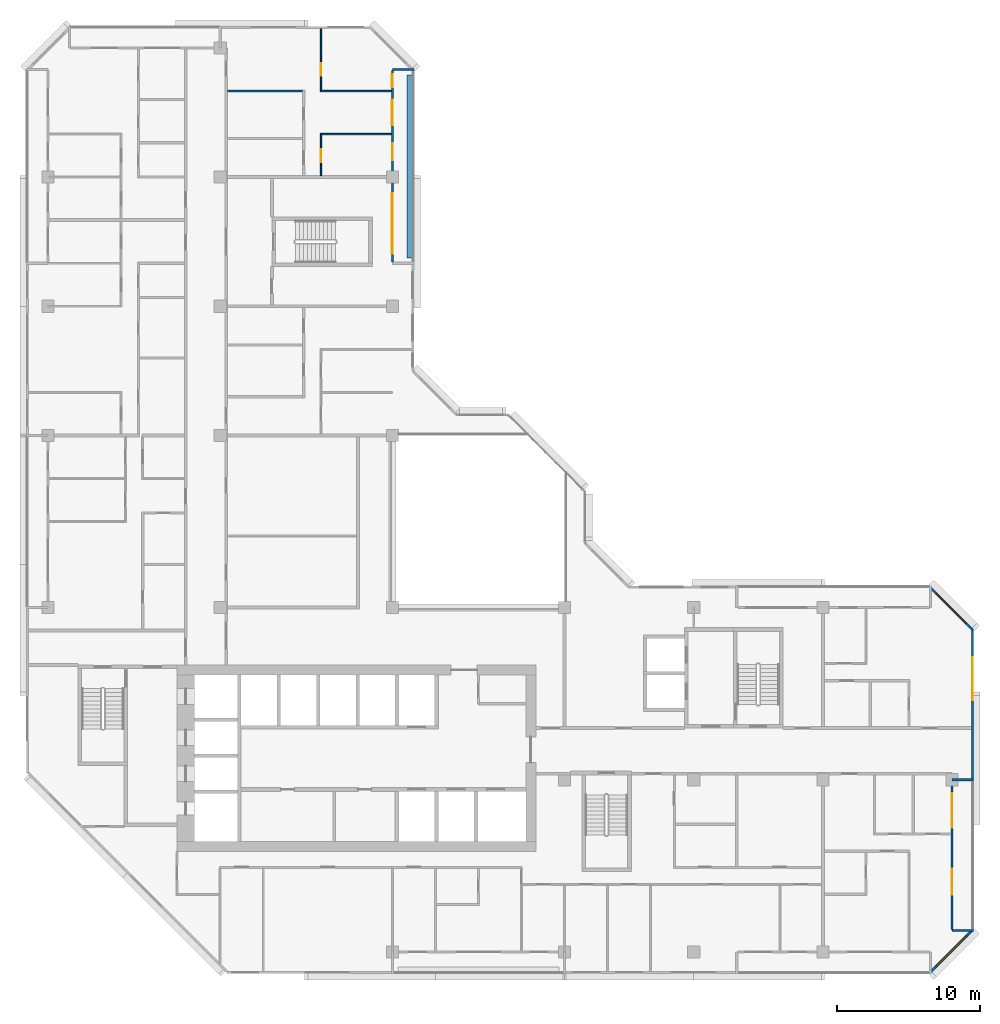
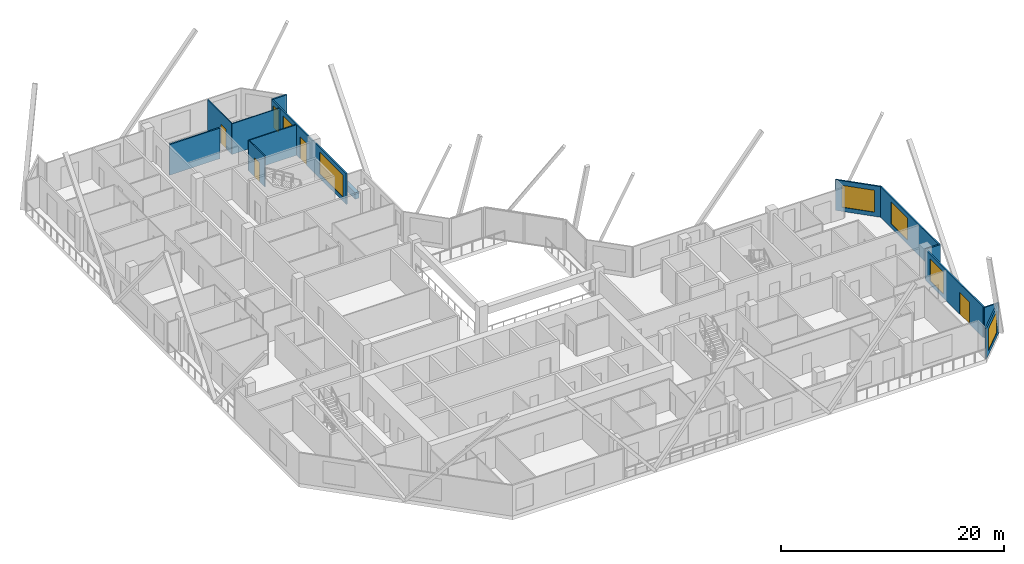
# One storey, part 11 of 14: 14 walls, 7 windows, 4 doors, 11 openings.
"""IFC4 building model written with IfcOpenShell, lengths in metres."""

from ifc_helpers import new_model, si_unit, direction, frame, frame_2d, origin, place, context, subcontext, project, spatial, rectangle, extrude, material, layer, layer_set, type_object, element, fill, save


model = new_model("IFC4")

# Units and contexts
model_context = context("Model", 3, precision=1e-05, world=origin(), true_north=direction((0.0, 1.0)))
body_context = subcontext(model_context, "Body", "Model", "MODEL_VIEW")
ifc_project = project(units=[si_unit("LENGTHUNIT", "METRE"), si_unit("AREAUNIT", "SQUARE_METRE"), si_unit("VOLUMEUNIT", "CUBIC_METRE"), si_unit("PLANEANGLEUNIT", "RADIAN"), si_unit("MASSUNIT", "GRAM", prefix="KILO")], contexts=[model_context])

# Site, building, storey
site_placement = place(None, origin())
site = spatial("IfcSite", under=ifc_project, at=site_placement, CompositionType="ELEMENT")
building_placement = place(site_placement, origin())
building = spatial("IfcBuilding", under=site, at=building_placement, Name="Chenar Terraces", CompositionType="ELEMENT")
storey_placement = place(building_placement, frame((0.0, 0.0, 234.14990234375)))
storey = spatial("IfcBuildingStorey", under=building, at=storey_placement, Name="L55", CompositionType="ELEMENT", Elevation=234.14990234375)

# Wall, opening, window
ifc_material_1 = material(Name="Aluminium framed glazing", Category="aluminium")
ifc_layer_1 = layer(ifc_material_1, 0.14990234375)
ifc_layer_set_1 = layer_set([ifc_layer_1], Name="Aluminium framed glazing")
wall_type_1 = type_object("IfcWallType", Name="Glazed flush facade wall 150", PredefinedType="SOLIDWALL", material=ifc_layer_set_1)
wall_1_placement = place(storey_placement, frame((64.425048828125, 12.074951171875, 0.0), z_axis=(0.0, 0.0, 1.0), x_axis=(0.0, 1.0, 0.0)))
wall_1 = element("IfcWall", 1, at=wall_1_placement, inside=storey, type_object=wall_type_1, Name="Glazed flush facade wall", PredefinedType="SOLIDWALL", context=body_context, shape_type="SweptSolid", body=[
    extrude(rectangle(XDim=10.425048828125, YDim=0.14990234375, at=frame_2d((5.21240234375, 0.0))), origin(), (0.0, 0.0, 1.0), 3.35009765625),
])
opening_1_placement = place(wall_1_placement, frame((5.47509765625, 0.0, 0.449951171875)))
opening_1 = element("IfcOpeningElement", 2, at=opening_1_placement, cuts=wall_1, Name="Opening W300x240", PredefinedType="OPENING", context=body_context, shape_type="SweptSolid", body=[
    extrude(rectangle(XDim=3.0, YDim=2.39990234375, at=frame_2d((1.5, 1.199951171875))), frame((0.0, 0.0849609375, 0.0), z_axis=(0.0, -1.0, 0.0), x_axis=(1.0, 0.0, 0.0)), (0.0, 0.0, 1.0), 0.169921875),
])
ifc_material_2 = material(Name="Low emissivity double glazing, aluminium frame", Category="aluminium")
window_type_1 = type_object("IfcWindowType", Name="Fixed light 3000 x 2400", PartitioningType="SINGLE_PANEL", PredefinedType="WINDOW", material=ifc_material_2)
window_1_placement = place(opening_1_placement, origin())
window_1 = element("IfcWindow", 3, at=window_1_placement, inside=storey, type_object=window_type_1, Name="Window", OverallHeight=2.39990234375, OverallWidth=3.0, PartitioningType="SINGLE_PANEL", PredefinedType="WINDOW", context=body_context, shape_type="SweptSolid", body=[
    extrude(rectangle(XDim=3.0, YDim=2.39990234375, at=frame_2d((1.5, 1.199951171875))), frame((0.0, 0.030029296875, 0.0), z_axis=(0.0, -1.0, 0.0), x_axis=(1.0, 0.0, 0.0)), (0.0, 0.0, 1.0), 0.06005859375),
])
fill(opening_1, window_1)

# Wall, openings, windows, door
ifc_material_3 = material(Name="Aluminium framed glazing", Category="aluminium")
ifc_layer_2 = layer(ifc_material_3, 0.14990234375)
ifc_layer_set_2 = layer_set([ifc_layer_2], Name="Aluminium framed glazing")
wall_type_2 = type_object("IfcWallType", Name="Glazed loggia back wall 150", PredefinedType="SOLIDWALL", material=ifc_layer_set_2)
wall_2_placement = place(storey_placement, frame((24.0, 48.074951171875, 0.0), z_axis=(0.0, 0.0, 1.0), x_axis=(0.0, 1.0, 0.0)))
wall_2 = element("IfcWall", 4, at=wall_2_placement, inside=storey, type_object=wall_type_2, Name="Glazed loggia back wall", PredefinedType="SOLIDWALL", context=body_context, shape_type="SweptSolid", body=[
    extrude(rectangle(XDim=13.35009765625, YDim=0.14990234375, at=frame_2d((6.675048828125, 0.0))), origin(), (0.0, 0.0, 1.0), 3.35009765625),
])
opening_2_placement = place(wall_2_placement, frame((0.60009765625, 0.0, 0.449951171875)))
opening_2 = element("IfcOpeningElement", 5, at=opening_2_placement, cuts=wall_2, Name="Opening W420x240", PredefinedType="OPENING", context=body_context, shape_type="SweptSolid", body=[
    extrude(rectangle(XDim=4.199951171875, YDim=2.39990234375, at=frame_2d((2.10009765625, 1.199951171875))), frame((0.0, 0.0849609375, 0.0), z_axis=(0.0, -1.0, 0.0), x_axis=(1.0, 0.0, 0.0)), (0.0, 0.0, 1.0), 0.169921875),
])
opening_3_placement = place(wall_2_placement, frame((7.08740234375, 0.0, 0.0)))
opening_3 = element("IfcOpeningElement", 6, at=opening_3_placement, cuts=wall_2, Name="Opening DL55-G2", PredefinedType="OPENING", context=body_context, shape_type="SweptSolid", body=[
    extrude(rectangle(XDim=1.199951171875, YDim=2.39990234375, at=frame_2d((0.60009765625, 1.199951171875))), frame((0.0, 0.0849609375, 0.0), z_axis=(0.0, -1.0, 0.0), x_axis=(1.0, 0.0, 0.0)), (0.0, 0.0, 1.0), 0.169921875),
])
opening_4_placement = place(wall_2_placement, frame((9.52490234375, 0.0, 0.449951171875)))
opening_4 = element("IfcOpeningElement", 7, at=opening_4_placement, cuts=wall_2, Name="Opening W180x240", PredefinedType="OPENING", context=body_context, shape_type="SweptSolid", body=[
    extrude(rectangle(XDim=1.800048828125, YDim=2.39990234375, at=frame_2d((0.89990234375, 1.199951171875))), frame((0.0, 0.0849609375, 0.0), z_axis=(0.0, -1.0, 0.0), x_axis=(1.0, 0.0, 0.0)), (0.0, 0.0, 1.0), 0.169921875),
])
opening_5_placement = place(wall_2_placement, frame((12.1875, 0.0, 0.449951171875)))
opening_5 = element("IfcOpeningElement", 8, at=opening_5_placement, cuts=wall_2, Name="Opening W90x240", PredefinedType="OPENING", context=body_context, shape_type="SweptSolid", body=[
    extrude(rectangle(XDim=0.89990234375, YDim=2.39990234375, at=frame_2d((0.449951171875, 1.199951171875))), frame((0.0, 0.0849609375, 0.0), z_axis=(0.0, -1.0, 0.0), x_axis=(1.0, 0.0, 0.0)), (0.0, 0.0, 1.0), 0.169921875),
])
ifc_material_4 = material(Name="Low emissivity double glazing, aluminium frame", Category="aluminium")
window_type_2 = type_object("IfcWindowType", Name="Fixed light 1800 x 2400", PartitioningType="SINGLE_PANEL", PredefinedType="WINDOW", material=ifc_material_4)
window_2_placement = place(opening_4_placement, origin())
window_2 = element("IfcWindow", 9, at=window_2_placement, inside=storey, type_object=window_type_2, Name="Window", OverallHeight=2.39990234375, OverallWidth=1.800048828125, PartitioningType="SINGLE_PANEL", PredefinedType="WINDOW", context=body_context, shape_type="SweptSolid", body=[
    extrude(rectangle(XDim=1.800048828125, YDim=2.39990234375, at=frame_2d((0.89990234375, 1.199951171875))), frame((0.0, 0.030029296875, 0.0), z_axis=(0.0, -1.0, 0.0), x_axis=(1.0, 0.0, 0.0)), (0.0, 0.0, 1.0), 0.06005859375),
])
fill(opening_4, window_2)
ifc_material_5 = material(Name="Low emissivity double glazing, aluminium frame", Category="aluminium")
window_type_3 = type_object("IfcWindowType", Name="Fixed light 4200 x 2400", PartitioningType="SINGLE_PANEL", PredefinedType="WINDOW", material=ifc_material_5)
window_3_placement = place(opening_2_placement, origin())
window_3 = element("IfcWindow", 10, at=window_3_placement, inside=storey, type_object=window_type_3, Name="Window", OverallHeight=2.39990234375, OverallWidth=4.199951171875, PartitioningType="SINGLE_PANEL", PredefinedType="WINDOW", context=body_context, shape_type="SweptSolid", body=[
    extrude(rectangle(XDim=4.199951171875, YDim=2.39990234375, at=frame_2d((2.10009765625, 1.199951171875))), frame((0.0, 0.030029296875, 0.0), z_axis=(0.0, -1.0, 0.0), x_axis=(1.0, 0.0, 0.0)), (0.0, 0.0, 1.0), 0.06005859375),
])
fill(opening_2, window_3)
ifc_material_6 = material(Name="Low emissivity double glazing, aluminium frame", Category="aluminium")
window_type_4 = type_object("IfcWindowType", Name="Fixed light 900 x 2400", PartitioningType="SINGLE_PANEL", PredefinedType="WINDOW", material=ifc_material_6)
window_4_placement = place(opening_5_placement, origin())
window_4 = element("IfcWindow", 11, at=window_4_placement, inside=storey, type_object=window_type_4, Name="Window", OverallHeight=2.39990234375, OverallWidth=0.89990234375, PartitioningType="SINGLE_PANEL", PredefinedType="WINDOW", context=body_context, shape_type="SweptSolid", body=[
    extrude(rectangle(XDim=0.89990234375, YDim=2.39990234375, at=frame_2d((0.449951171875, 1.199951171875))), frame((0.0, 0.030029296875, 0.0), z_axis=(0.0, -1.0, 0.0), x_axis=(1.0, 0.0, 0.0)), (0.0, 0.0, 1.0), 0.06005859375),
])
fill(opening_5, window_4)
ifc_material_7 = material(Name="Low emissivity double glazing, aluminium frame", Category="aluminium")
door_type_1 = type_object("IfcDoorType", Name="Loggia glazed double door 1200 x 2400", OperationType="DOUBLE_DOOR_SINGLE_SWING", PredefinedType="DOOR", material=ifc_material_7)
door_1_placement = place(opening_3_placement, frame((1.199951171875, 0.0, 0.0), z_axis=(0.0, 0.0, 1.0), x_axis=(-1.0, 0.0, 0.0)))
door_1 = element("IfcDoor", 12, at=door_1_placement, inside=storey, type_object=door_type_1, Name="Loggia glazed door", OperationType="DOUBLE_DOOR_SINGLE_SWING", OverallHeight=2.39990234375, OverallWidth=1.199951171875, PredefinedType="DOOR", context=body_context, shape_type="SweptSolid", body=[
    extrude(rectangle(XDim=1.199951171875, YDim=2.39990234375, at=frame_2d((0.60009765625, 1.199951171875))), frame((0.0, 0.02490234375, 0.0), z_axis=(0.0, -1.0, 0.0), x_axis=(1.0, 0.0, 0.0)), (0.0, 0.0, 1.0), 0.050048828125),
])
fill(opening_3, door_1)

# Wall, openings, window, door
wall_3_placement = place(storey_placement, frame((63.0, 1.574951171875, 0.0), z_axis=(0.0, 0.0, 1.0), x_axis=(0.0, 1.0, 0.0)))
wall_3 = element("IfcWall", 13, at=wall_3_placement, inside=storey, type_object=wall_type_2, Name="Glazed loggia back wall", PredefinedType="SOLIDWALL", context=body_context, shape_type="SweptSolid", body=[
    extrude(rectangle(XDim=10.35009765625, YDim=0.14990234375, at=frame_2d((5.175048828125, 0.0))), origin(), (0.0, 0.0, 1.0), 3.35009765625),
])
opening_6_placement = place(wall_3_placement, frame((2.425048828125, 0.0, 0.0)))
opening_6 = element("IfcOpeningElement", 14, at=opening_6_placement, cuts=wall_3, Name="Opening DL55-G8", PredefinedType="OPENING", context=body_context, shape_type="SweptSolid", body=[
    extrude(rectangle(XDim=1.800048828125, YDim=2.39990234375, at=frame_2d((0.89990234375, 1.199951171875))), frame((0.0, 0.0849609375, 0.0), z_axis=(0.0, -1.0, 0.0), x_axis=(1.0, 0.0, 0.0)), (0.0, 0.0, 1.0), 0.169921875),
])
opening_7_placement = place(wall_3_placement, frame((7.074951171875, 0.0, 0.449951171875)))
opening_7 = element("IfcOpeningElement", 15, at=opening_7_placement, cuts=wall_3, Name="Opening W240x240", PredefinedType="OPENING", context=body_context, shape_type="SweptSolid", body=[
    extrude(rectangle(XDim=2.39990234375, YDim=2.39990234375, at=frame_2d((1.199951171875, 1.199951171875))), frame((0.0, 0.0849609375, 0.0), z_axis=(0.0, -1.0, 0.0), x_axis=(1.0, 0.0, 0.0)), (0.0, 0.0, 1.0), 0.169921875),
])
ifc_material_8 = material(Name="Low emissivity double glazing, aluminium frame", Category="aluminium")
window_type_5 = type_object("IfcWindowType", Name="Fixed light 2400 x 2400", PartitioningType="SINGLE_PANEL", PredefinedType="WINDOW", material=ifc_material_8)
window_5_placement = place(opening_7_placement, origin())
window_5 = element("IfcWindow", 16, at=window_5_placement, inside=storey, type_object=window_type_5, Name="Window", OverallHeight=2.39990234375, OverallWidth=2.39990234375, PartitioningType="SINGLE_PANEL", PredefinedType="WINDOW", context=body_context, shape_type="SweptSolid", body=[
    extrude(rectangle(XDim=2.39990234375, YDim=2.39990234375, at=frame_2d((1.199951171875, 1.199951171875))), frame((0.0, 0.030029296875, 0.0), z_axis=(0.0, -1.0, 0.0), x_axis=(1.0, 0.0, 0.0)), (0.0, 0.0, 1.0), 0.06005859375),
])
fill(opening_7, window_5)
ifc_material_9 = material(Name="Low emissivity double glazing, aluminium frame", Category="aluminium")
door_type_2 = type_object("IfcDoorType", Name="Loggia glazed double door 1800 x 2400", OperationType="DOUBLE_DOOR_SINGLE_SWING", PredefinedType="DOOR", material=ifc_material_9)
door_2_placement = place(opening_6_placement, frame((1.800048828125, 0.0, 0.0), z_axis=(0.0, 0.0, 1.0), x_axis=(-1.0, 0.0, 0.0)))
door_2 = element("IfcDoor", 17, at=door_2_placement, inside=storey, type_object=door_type_2, Name="Loggia glazed door", OperationType="DOUBLE_DOOR_SINGLE_SWING", OverallHeight=2.39990234375, OverallWidth=1.800048828125, PredefinedType="DOOR", context=body_context, shape_type="SweptSolid", body=[
    extrude(rectangle(XDim=1.800048828125, YDim=2.39990234375, at=frame_2d((0.89990234375, 1.199951171875))), frame((0.0, 0.02490234375, 0.0), z_axis=(0.0, -1.0, 0.0), x_axis=(1.0, 0.0, 0.0)), (0.0, 0.0, 1.0), 0.050048828125),
])
fill(opening_6, door_2)

# Walls
ifc_material_10 = material(Name="Gypsum board on steel studs", Category="steel")
ifc_layer_3 = layer(ifc_material_10, 0.10009765625)
ifc_layer_set_3 = layer_set([ifc_layer_3], Name="Gypsum board on steel studs")
wall_type_3 = type_object("IfcWallType", Name="Gypsum partition 100", PredefinedType="PARTITIONING", material=ifc_layer_set_3)
for number, where, z_axis, x_axis, name in (
    (18, (18.97509765625, 57.0, 0.0), (0.0, 0.0, 1.0), (1.0, 0.0, 0.0), "Partition L55-051"),
    (19, (18.97509765625, 60.0, 0.0), (0.0, 0.0, 1.0), (1.0, 0.0, 0.0), "Partition L55-052"),
):
    element("IfcWall", number, at=place(storey_placement, frame(where, z_axis=z_axis, x_axis=x_axis)), inside=storey, type_object=wall_type_3, Name=name, PredefinedType="PARTITIONING", context=body_context, shape_type="SweptSolid", body=[
        extrude(rectangle(XDim=4.950927734375, YDim=0.10009765625, at=frame_2d((2.4755859375, 0.0))), origin(), (0.0, 0.0, 1.0), 3.35009765625),
    ])

# Wall, opening, door
wall_4_placement = place(storey_placement, frame((19.02490234375, 54.10009765625, 0.0), z_axis=(0.0, 0.0, 1.0), x_axis=(0.0, 1.0, 0.0)))
wall_4 = element("IfcWall", 20, at=wall_4_placement, inside=storey, type_object=wall_type_3, Name="Partition L55-054", PredefinedType="PARTITIONING", context=body_context, shape_type="SweptSolid", body=[
    extrude(rectangle(XDim=2.849853515625, YDim=0.10009765625, at=frame_2d((1.4248046875, 0.0))), origin(), (0.0, 0.0, 1.0), 3.35009765625),
])
opening_8_placement = place(wall_4_placement, frame((0.949951171875, 0.0, 0.0)))
opening_8 = element("IfcOpeningElement", 21, at=opening_8_placement, cuts=wall_4, Name="Opening DL55-19", PredefinedType="OPENING", context=body_context, shape_type="SweptSolid", body=[
    extrude(rectangle(XDim=0.89990234375, YDim=2.10009765625, at=frame_2d((0.449951171875, 1.050048828125))), frame((0.0, 0.06005859375, 0.0), z_axis=(0.0, -1.0, 0.0), x_axis=(1.0, 0.0, 0.0)), (0.0, 0.0, 1.0), 0.1201171875),
])
ifc_material_11 = material(Name="Veneered timber door leaf", Category="wood")
door_type_3 = type_object("IfcDoorType", Name="Door 900 x 2100", OperationType="SINGLE_SWING_LEFT", PredefinedType="DOOR", material=ifc_material_11)
door_3_placement = place(opening_8_placement, frame((0.89990234375, 0.0, 0.0), z_axis=(0.0, 0.0, 1.0), x_axis=(-1.0, 0.0, 0.0)))
door_3 = element("IfcDoor", 22, at=door_3_placement, inside=storey, type_object=door_type_3, Name="Door DL55-19", OperationType="SINGLE_SWING_LEFT", OverallHeight=2.10009765625, OverallWidth=0.89990234375, PredefinedType="DOOR", context=body_context, shape_type="SweptSolid", body=[
    extrude(rectangle(XDim=0.89990234375, YDim=2.10009765625, at=frame_2d((0.449951171875, 1.050048828125))), frame((0.0, 0.02490234375, 0.0), z_axis=(0.0, -1.0, 0.0), x_axis=(1.0, 0.0, 0.0)), (0.0, 0.0, 1.0), 0.050048828125),
])
fill(opening_8, door_3)

wall_5_placement = place(storey_placement, frame((19.02490234375, 60.050048828125, 0.0), z_axis=(0.0, 0.0, 1.0), x_axis=(0.0, 1.0, 0.0)))
wall_5 = element("IfcWall", 23, at=wall_5_placement, inside=storey, type_object=wall_type_3, Name="Partition L55-055", PredefinedType="PARTITIONING", context=body_context, shape_type="SweptSolid", body=[
    extrude(rectangle(XDim=4.301025390625, YDim=0.10009765625, at=frame_2d((2.150390625, 0.0))), origin(), (0.0, 0.0, 1.0), 3.35009765625),
])
opening_9_placement = place(wall_5_placement, frame((1.0, 0.0, 0.0)))
opening_9 = element("IfcOpeningElement", 24, at=opening_9_placement, cuts=wall_5, Name="Opening DL55-20", PredefinedType="OPENING", context=body_context, shape_type="SweptSolid", body=[
    extrude(rectangle(XDim=0.89990234375, YDim=2.10009765625, at=frame_2d((0.449951171875, 1.050048828125))), frame((0.0, 0.06005859375, 0.0), z_axis=(0.0, -1.0, 0.0), x_axis=(1.0, 0.0, 0.0)), (0.0, 0.0, 1.0), 0.1201171875),
])
door_4_placement = place(opening_9_placement, frame((0.89990234375, 0.0, 0.0), z_axis=(0.0, 0.0, 1.0), x_axis=(-1.0, 0.0, 0.0)))
door_4 = element("IfcDoor", 25, at=door_4_placement, inside=storey, type_object=door_type_3, Name="Door DL55-20", OperationType="SINGLE_SWING_RIGHT", OverallHeight=2.10009765625, OverallWidth=0.89990234375, PredefinedType="DOOR", context=body_context, shape_type="SweptSolid", body=[
    extrude(rectangle(XDim=0.89990234375, YDim=2.10009765625, at=frame_2d((0.449951171875, 1.050048828125))), frame((0.0, 0.02490234375, 0.0), z_axis=(0.0, -1.0, 0.0), x_axis=(1.0, 0.0, 0.0)), (0.0, 0.0, 1.0), 0.050048828125),
])
fill(opening_9, door_4)

# Walls
ifc_material_12 = material(Name="Terracotta cladding on insulated backing", Category="masonry")
ifc_layer_4 = layer(ifc_material_12, 0.14990234375)
ifc_layer_set_4 = layer_set([ifc_layer_4], Name="Terracotta cladding on insulated backing")
wall_type_4 = type_object("IfcWallType", Name="Loggia return wall 150", PredefinedType="SOLIDWALL", material=ifc_layer_set_4)
for number, where, z_axis, x_axis, name in (
    (26, (25.5, 61.5, 0.0), (0.0, 0.0, 1.0), (-1.0, 0.0, 0.0), "Loggia return wall"),
    (27, (64.5, 1.5, 0.0), (0.0, 0.0, 1.0), (-1.0, 0.0, 0.0), "Loggia return wall"),
    (28, (64.5, 12.0, 0.0), (0.0, 0.0, 1.0), (-1.0, 0.0, 0.0), "Loggia return wall"),
):
    element("IfcWall", number, at=place(storey_placement, frame(where, z_axis=z_axis, x_axis=x_axis)), inside=storey, type_object=wall_type_4, Name=name, PredefinedType="SOLIDWALL", context=body_context, shape_type="SweptSolid", body=[
        extrude(rectangle(XDim=1.5, YDim=0.14990234375, at=frame_2d((0.75, 0.0))), origin(), (0.0, 0.0, 1.0), 3.35009765625),
    ])

# Wall, opening, window
ifc_material_13 = material(Name="Terracotta cladding on insulated backing", Category="masonry")
ifc_layer_5 = layer(ifc_material_13, 0.14990234375)
ifc_layer_set_5 = layer_set([ifc_layer_5], Name="Terracotta cladding on insulated backing")
wall_type_5 = type_object("IfcWallType", Name="Terracotta rainscreen wall 150", PredefinedType="SOLIDWALL", material=ifc_layer_set_5)
wall_6_placement = place(storey_placement, frame((61.447021484375, -1.447021484375, 0.0), z_axis=(0.0, 0.0, 1.0), x_axis=(0.707106781187, 0.707106781187, 0.0)))
wall_6 = element("IfcWall", 29, at=wall_6_placement, inside=storey, type_object=wall_type_5, Name="Terracotta rainscreen wall", PredefinedType="SOLIDWALL", context=body_context, shape_type="SweptSolid", body=[
    extrude(rectangle(XDim=4.24267578125, YDim=0.14990234375, at=frame_2d((2.121337890625, 0.0))), origin(), (0.0, 0.0, 1.0), 3.35009765625),
])
opening_10_placement = place(wall_6_placement, frame((0.621337890625, 0.0, 0.449951171875)))
opening_10 = element("IfcOpeningElement", 30, at=opening_10_placement, cuts=wall_6, Name="Opening W300x240", PredefinedType="OPENING", context=body_context, shape_type="SweptSolid", body=[
    extrude(rectangle(XDim=3.0, YDim=2.39990234375, at=frame_2d((1.5, 1.199951171875))), frame((0.0, 0.0849609375, 0.0), z_axis=(0.0, -1.0, 0.0), x_axis=(1.0, 0.0, 0.0)), (0.0, 0.0, 1.0), 0.169921875),
])
window_6_placement = place(opening_10_placement, origin())
window_6 = element("IfcWindow", 31, at=window_6_placement, inside=storey, type_object=window_type_1, Name="Window", OverallHeight=2.39990234375, OverallWidth=3.0, PartitioningType="SINGLE_PANEL", PredefinedType="WINDOW", context=body_context, shape_type="SweptSolid", body=[
    extrude(rectangle(XDim=3.0, YDim=2.39990234375, at=frame_2d((1.5, 1.199951171875))), frame((0.0, 0.030029296875, 0.0), z_axis=(0.0, -1.0, 0.0), x_axis=(1.0, 0.0, 0.0)), (0.0, 0.0, 1.0), 0.06005859375),
])
fill(opening_10, window_6)

wall_7_placement = place(storey_placement, frame((64.447021484375, 22.447021484375, 0.0), z_axis=(0.0, 0.0, 1.0), x_axis=(-0.707106781187, 0.707106781187, 0.0)))
wall_7 = element("IfcWall", 32, at=wall_7_placement, inside=storey, type_object=wall_type_5, Name="Terracotta rainscreen wall", PredefinedType="SOLIDWALL", context=body_context, shape_type="SweptSolid", body=[
    extrude(rectangle(XDim=4.24267578125, YDim=0.14990234375, at=frame_2d((2.121337890625, 0.0))), origin(), (0.0, 0.0, 1.0), 3.35009765625),
])
opening_11_placement = place(wall_7_placement, frame((0.621337890625, 0.0, 0.449951171875)))
opening_11 = element("IfcOpeningElement", 33, at=opening_11_placement, cuts=wall_7, Name="Opening W300x240", PredefinedType="OPENING", context=body_context, shape_type="SweptSolid", body=[
    extrude(rectangle(XDim=3.0, YDim=2.39990234375, at=frame_2d((1.5, 1.199951171875))), frame((0.0, 0.0849609375, 0.0), z_axis=(0.0, -1.0, 0.0), x_axis=(1.0, 0.0, 0.0)), (0.0, 0.0, 1.0), 0.169921875),
])
window_7_placement = place(opening_11_placement, origin())
window_7 = element("IfcWindow", 34, at=window_7_placement, inside=storey, type_object=window_type_1, Name="Window", OverallHeight=2.39990234375, OverallWidth=3.0, PartitioningType="SINGLE_PANEL", PredefinedType="WINDOW", context=body_context, shape_type="SweptSolid", body=[
    extrude(rectangle(XDim=3.0, YDim=2.39990234375, at=frame_2d((1.5, 1.199951171875))), frame((0.0, 0.030029296875, 0.0), z_axis=(0.0, -1.0, 0.0), x_axis=(1.0, 0.0, 0.0)), (0.0, 0.0, 1.0), 0.06005859375),
])
fill(opening_11, window_7)

# Walls
ifc_material_14 = material(Name="GRP planter trough")
ifc_layer_6 = layer(ifc_material_14, 0.39990234375)
ifc_layer_set_6 = layer_set([ifc_layer_6], Name="GRP planter trough")
wall_type_6 = type_object("IfcWallType", Name="Vertical greenery planter 400", PredefinedType="SOLIDWALL", material=ifc_layer_set_6)
wall_8_placement = place(storey_placement, frame((25.22900390625, 48.375, 0.0), z_axis=(0.0, 0.0, 1.0), x_axis=(0.0, 1.0, 0.0)))
element("IfcWall", 35, at=wall_8_placement, inside=storey, type_object=wall_type_6, Name="Vertical greenery planter", PredefinedType="SOLIDWALL", context=body_context, shape_type="SweptSolid", body=[
    extrude(rectangle(XDim=12.75, YDim=0.39990234375, at=frame_2d((6.375, 0.0))), origin(), (0.0, 0.0, 1.0), 0.7001953125),
])
ifc_material_15 = material(Name="Moisture-resistant gypsum board on steel studs", Category="steel")
ifc_layer_7 = layer(ifc_material_15, 0.14990234375)
ifc_layer_set_7 = layer_set([ifc_layer_7], Name="Moisture-resistant gypsum board on steel studs")
wall_type_7 = type_object("IfcWallType", Name="Wet-room partition 150", PredefinedType="PARTITIONING", material=ifc_layer_set_7)
wall_9_placement = place(storey_placement, frame((12.52490234375, 60.0, 0.0), z_axis=(0.0, 0.0, 1.0), x_axis=(1.0, 0.0, 0.0)))
element("IfcWall", 36, at=wall_9_placement, inside=storey, type_object=wall_type_7, Name="Partition L55-045", PredefinedType="PARTITIONING", context=body_context, shape_type="SweptSolid", body=[
    extrude(rectangle(XDim=5.22509765625, YDim=0.14990234375, at=frame_2d((2.612548828125, 0.0))), origin(), (0.0, 0.0, 1.0), 3.35009765625),
])

save(model, "model.ifc")
